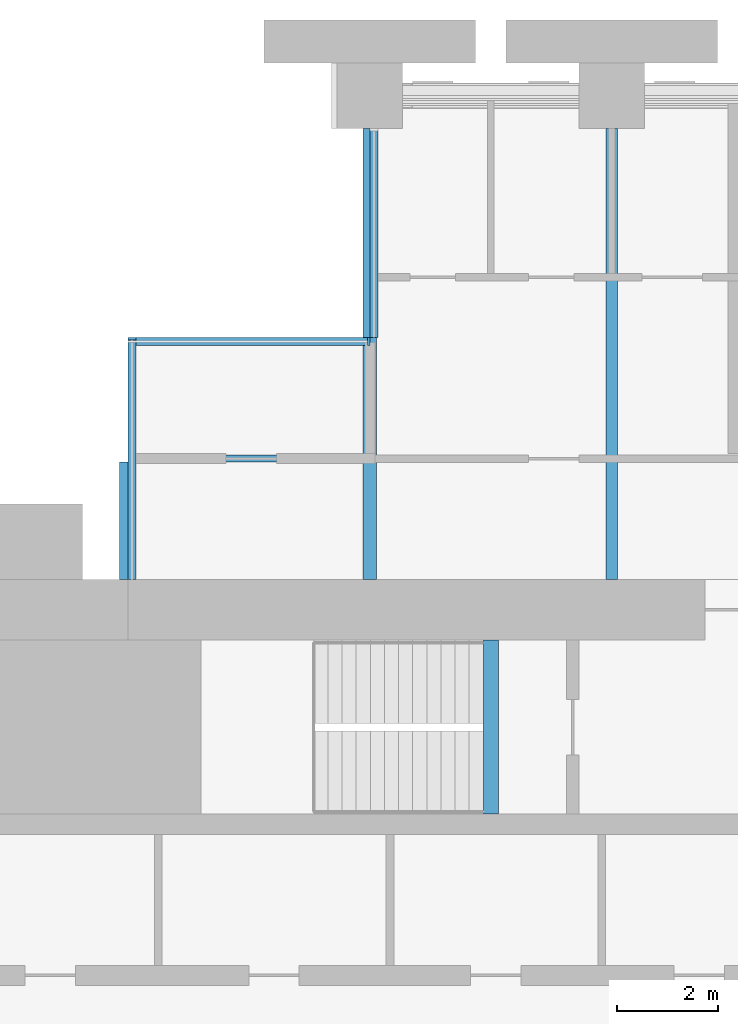
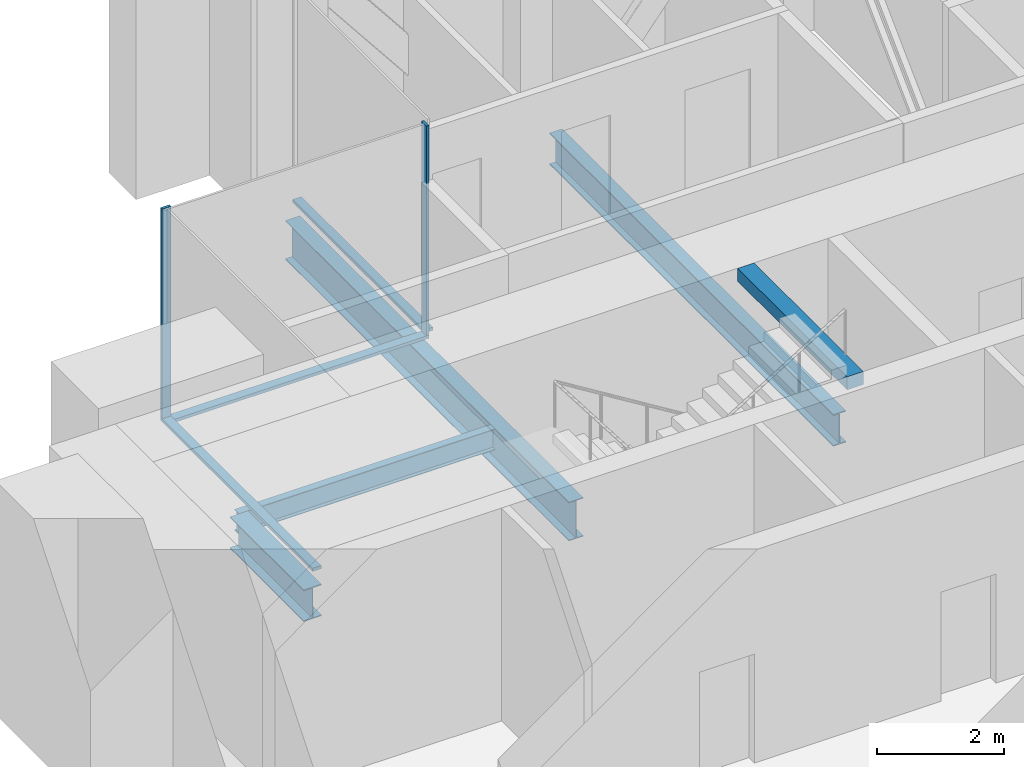
# One storey, part 5 of 15: 5 beams, 5 members, 3 elements without a shape of their own.
"""IFC4 building model written with IfcOpenShell, lengths in metres."""

from ifc_helpers import new_model, si_unit, direction, frame, origin, origin_2d, place, context, subcontext, project, spatial, rectangle, i_section, extrude, material, material_profile, profile_set, type_object, element, aggregate, save


model = new_model("IFC4")

# Units and contexts
model_context = context("Model", 3, precision=1e-05, world=origin(), true_north=direction((0.0, 1.0)))
body_context = subcontext(model_context, "Body", "Model", "MODEL_VIEW")
ifc_project = project(units=[si_unit("LENGTHUNIT", "METRE"), si_unit("AREAUNIT", "SQUARE_METRE"), si_unit("VOLUMEUNIT", "CUBIC_METRE"), si_unit("PLANEANGLEUNIT", "RADIAN"), si_unit("MASSUNIT", "GRAM", prefix="KILO")], contexts=[model_context])

# Site, building, storey
site_placement = place(None, origin())
site = spatial("IfcSite", under=ifc_project, at=site_placement, CompositionType="ELEMENT")
building_placement = place(site_placement, origin())
building = spatial("IfcBuilding", under=site, at=building_placement, Name="Baori Bourse Tower", CompositionType="ELEMENT")
storey_placement = place(building_placement, frame((0.0, 0.0, 87.0)))
storey = spatial("IfcBuildingStorey", under=building, at=storey_placement, Name="L19", CompositionType="ELEMENT", Elevation=87.0)

# Curtain wall, member
ifc_material_1 = material(Name="Pale anodised aluminium", Category="aluminium")
curtain_wall_type = type_object("IfcCurtainWallType", Name="CW3 Curtain wall", PredefinedType="NOTDEFINED", material=ifc_material_1)
curtain_wall_1_placement = place(storey_placement, origin())
curtain_wall_1 = element("IfcCurtainWall", 1, at=curtain_wall_1_placement, inside=storey, type_object=curtain_wall_type, Name="Curtain wall CW3 L19 6", PredefinedType="NOTDEFINED")
ifc_material_2 = material(Name="Pale anodised aluminium", Category="aluminium")
ifc_material_profile_1 = material_profile(ifc_material_2, rectangle(XDim=0.159912109375, YDim=0.050048828125, at=origin_2d()), Name="Mullion 50x160")
ifc_profile_set_1 = profile_set([ifc_material_profile_1], Name="Pale anodised aluminium")
member_type_1 = type_object("IfcMemberType", Name="CW3 Curtain wall mullion", PredefinedType="MULLION", material=ifc_profile_set_1)
member_1_placement = place(storey_placement, frame((9.574951171875, 43.1201171875, 0.06005859375), z_axis=(0.0, 0.0, 1.0), x_axis=(0.0, -1.0, 0.0)))
member_1 = element("IfcMember", 2, at=member_1_placement, type_object=member_type_1, Name="Curtain wall CW3 mullion", PredefinedType="MULLION", context=body_context, shape_type="SweptSolid", body=[
    extrude(rectangle(XDim=0.159912109375, YDim=0.050048828125, at=origin_2d()), origin(), (0.0, 0.0, 1.0), 4.0400390625),
])

curtain_wall_2_placement = place(storey_placement, origin())
curtain_wall_2 = element("IfcCurtainWall", 3, at=curtain_wall_2_placement, inside=storey, type_object=curtain_wall_type, Name="Curtain wall CW3 L19 7", PredefinedType="NOTDEFINED")
member_2_placement = place(storey_placement, frame((4.8798828125, 43.175048828125, 0.06005859375), z_axis=(0.0, 0.0, 1.0), x_axis=(1.0, 0.0, 0.0)))
member_2 = element("IfcMember", 4, at=member_2_placement, type_object=member_type_1, Name="Curtain wall CW3 mullion", PredefinedType="MULLION", context=body_context, shape_type="SweptSolid", body=[
    extrude(rectangle(XDim=0.159912109375, YDim=0.050048828125, at=origin_2d()), origin(), (0.0, 0.0, 1.0), 4.0400390625),
])

curtain_wall_3_placement = place(storey_placement, origin())
curtain_wall_3 = element("IfcCurtainWall", 5, at=curtain_wall_3_placement, inside=storey, type_object=curtain_wall_type, Name="Curtain wall CW3 L19 5", PredefinedType="NOTDEFINED")
ifc_material_3 = material(Name="Pale anodised aluminium", Category="aluminium")
ifc_material_profile_2 = material_profile(ifc_material_3, rectangle(XDim=0.159912109375, YDim=0.06005859375, at=origin_2d()), Name="Transom 60x160")
ifc_profile_set_2 = profile_set([ifc_material_profile_2], Name="Pale anodised aluminium")
member_type_2 = type_object("IfcMemberType", Name="CW3 Curtain wall transom", PredefinedType="USERDEFINED", material=ifc_profile_set_2)
member_3_placement = place(storey_placement, frame((9.679931640625, 47.35009765625, 0.030029296875), z_axis=(0.0, -1.0, 0.0), x_axis=(1.0, 0.0, 0.0)))
member_3 = element("IfcMember", 6, at=member_3_placement, type_object=member_type_2, Name="Curtain wall CW3 sill rail", ObjectType="TRANSOM", PredefinedType="USERDEFINED", context=body_context, shape_type="SweptSolid", body=[
    extrude(rectangle(XDim=0.159912109375, YDim=0.06005859375, at=origin_2d()), origin(), (0.0, 0.0, 1.0), 4.150146484375),
])
aggregate(curtain_wall_3, [member_3])

# Member
member_4_placement = place(storey_placement, frame((9.60009765625, 43.1201171875, 0.030029296875), z_axis=(-1.0, 0.0, 0.0), x_axis=(0.0, -1.0, 0.0)))
member_4 = element("IfcMember", 7, at=member_4_placement, type_object=member_type_2, Name="Curtain wall CW3 sill rail", ObjectType="TRANSOM", PredefinedType="USERDEFINED", context=body_context, shape_type="SweptSolid", body=[
    extrude(rectangle(XDim=0.159912109375, YDim=0.06005859375, at=origin_2d()), origin(), (0.0, 0.0, 1.0), 4.800048828125),
])

aggregate(curtain_wall_1, [member_4, member_1])

member_5_placement = place(storey_placement, frame((4.8798828125, 43.199951171875, 0.030029296875), z_axis=(0.0, -1.0, 0.0), x_axis=(1.0, 0.0, 0.0)))
member_5 = element("IfcMember", 8, at=member_5_placement, type_object=member_type_2, Name="Curtain wall CW3 sill rail", ObjectType="TRANSOM", PredefinedType="USERDEFINED", context=body_context, shape_type="SweptSolid", body=[
    extrude(rectangle(XDim=0.159912109375, YDim=0.06005859375, at=origin_2d()), origin(), (0.0, 0.0, 1.0), 4.800048828125),
])

aggregate(curtain_wall_2, [member_5, member_2])

# Beams
ifc_material_4 = material(Name="Steel A992 Gr 50", Category="steel")
ifc_material_profile_3 = material_profile(ifc_material_4, i_section(OverallWidth=0.3251953125, OverallDepth=0.612060546875, WebThickness=0.0126953125, FlangeThickness=0.01904296875, at=origin_2d()), Name="W24x104")
ifc_profile_set_3 = profile_set([ifc_material_profile_3], Name="Steel A992 Gr 50")
beam_type_1 = type_object("IfcBeamType", Name="Core bracket W24x104", PredefinedType="BEAM", material=ifc_profile_set_3)
beam_1_placement = place(storey_placement, frame((4.800048828125, 38.39990234375, -0.60595703125), z_axis=(0.0, 1.0, 0.0), x_axis=(-1.0, 0.0, 0.0)))
element("IfcBeam", 9, at=beam_1_placement, inside=storey, type_object=beam_type_1, Name="Core bracket L19", PredefinedType="BEAM", context=body_context, shape_type="SweptSolid", body=[
    extrude(i_section(OverallWidth=0.3251953125, OverallDepth=0.612060546875, WebThickness=0.0126953125, FlangeThickness=0.01904296875, at=origin_2d()), origin(), (0.0, 0.0, 1.0), 2.329833984375),
])
ifc_material_5 = material(Name="Steel A992 Gr 50", Category="steel")
ifc_material_profile_4 = material_profile(ifc_material_5, i_section(OverallWidth=0.22900390625, OverallDepth=0.612060546875, WebThickness=0.011962890625, FlangeThickness=0.01953125, at=origin_2d()), Name="W24x84")
ifc_profile_set_4 = profile_set([ifc_material_profile_4], Name="Steel A992 Gr 50")
beam_type_2 = type_object("IfcBeamType", Name="Floor beam W24x84", PredefinedType="BEAM", material=ifc_profile_set_4)
beam_2_placement = place(storey_placement, frame((14.39990234375, 38.39990234375, -0.60595703125), z_axis=(0.0, 1.0, 0.0), x_axis=(-1.0, 0.0, 0.0)))
element("IfcBeam", 10, at=beam_2_placement, inside=storey, type_object=beam_type_2, Name="Floor beam L19", PredefinedType="BEAM", context=body_context, shape_type="SweptSolid", body=[
    extrude(i_section(OverallWidth=0.22900390625, OverallDepth=0.612060546875, WebThickness=0.011962890625, FlangeThickness=0.01953125, at=origin_2d()), origin(), (0.0, 0.0, 1.0), 8.9501953125),
])
ifc_material_6 = material(Name="Steel A992 Gr 50", Category="steel")
ifc_material_profile_5 = material_profile(ifc_material_6, i_section(OverallWidth=0.26416015625, OverallDepth=0.749267578125, WebThickness=0.011962890625, FlangeThickness=0.015380859375, at=origin_2d()), Name="W30x90")
ifc_profile_set_5 = profile_set([ifc_material_profile_5], Name="Steel A992 Gr 50")
beam_type_3 = type_object("IfcBeamType", Name="Floor beam W30x90", PredefinedType="BEAM", material=ifc_profile_set_5)
beam_3_placement = place(storey_placement, frame((9.60009765625, 38.39990234375, -0.674560546875), z_axis=(0.0, 1.0, 0.0), x_axis=(-1.0, 0.0, 0.0)))
element("IfcBeam", 11, at=beam_3_placement, inside=storey, type_object=beam_type_3, Name="Floor beam L19", PredefinedType="BEAM", context=body_context, shape_type="SweptSolid", body=[
    extrude(i_section(OverallWidth=0.26416015625, OverallDepth=0.749267578125, WebThickness=0.011962890625, FlangeThickness=0.015380859375, at=origin_2d()), origin(), (0.0, 0.0, 1.0), 8.9501953125),
])
ifc_material_7 = material(Name="Concrete f'c 50 MPa", Category="concrete")
ifc_material_profile_6 = material_profile(ifc_material_7, rectangle(XDim=0.300048828125, YDim=0.25, at=origin_2d()), Name="RC 300x250")
ifc_profile_set_6 = profile_set([ifc_material_profile_6], Name="Concrete f'c 50 MPa")
beam_type_4 = type_object("IfcBeamType", Name="Stair nib beam RC 300x250", PredefinedType="BEAM", material=ifc_profile_set_6)
beam_4_placement = place(storey_placement, frame((12.0, 33.75, 3.97509765625), z_axis=(0.0, 1.0, 0.0), x_axis=(-1.0, 0.0, 0.0)))
element("IfcBeam", 12, at=beam_4_placement, inside=storey, type_object=beam_type_4, Name="Stair WB nib beam L20", PredefinedType="BEAM", context=body_context, shape_type="SweptSolid", body=[
    extrude(rectangle(XDim=0.300048828125, YDim=0.25, at=origin_2d()), origin(), (0.0, 0.0, 1.0), 3.449951171875),
])
ifc_material_8 = material(Name="Steel A992 Gr 50", Category="steel")
ifc_material_profile_7 = material_profile(ifc_material_8, i_section(OverallWidth=0.140380859375, OverallDepth=0.40380859375, WebThickness=0.007080078125, FlangeThickness=0.01123046875, at=origin_2d()), Name="W16x31")
ifc_profile_set_7 = profile_set([ifc_material_profile_7], Name="Steel A992 Gr 50")
beam_type_5 = type_object("IfcBeamType", Name="Trimmer beam W16x31", PredefinedType="BEAM", material=ifc_profile_set_7)
beam_5_placement = place(storey_placement, frame((4.800048828125, 40.800048828125, -0.501953125), z_axis=(1.0, 0.0, 0.0), x_axis=(0.0, 1.0, 0.0)))
element("IfcBeam", 13, at=beam_5_placement, inside=storey, type_object=beam_type_5, Name="Trimmer beam L19", PredefinedType="BEAM", context=body_context, shape_type="SweptSolid", body=[
    extrude(i_section(OverallWidth=0.140380859375, OverallDepth=0.40380859375, WebThickness=0.007080078125, FlangeThickness=0.01123046875, at=origin_2d()), origin(), (0.0, 0.0, 1.0), 4.66796875),
])

save(model, "model.ifc")
